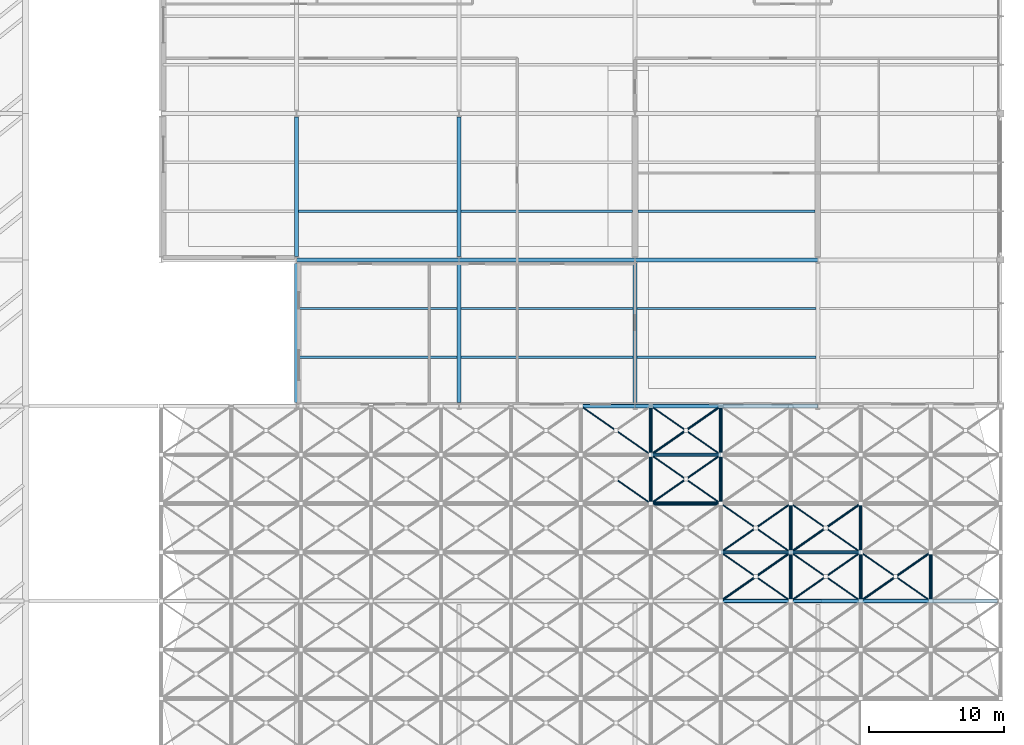
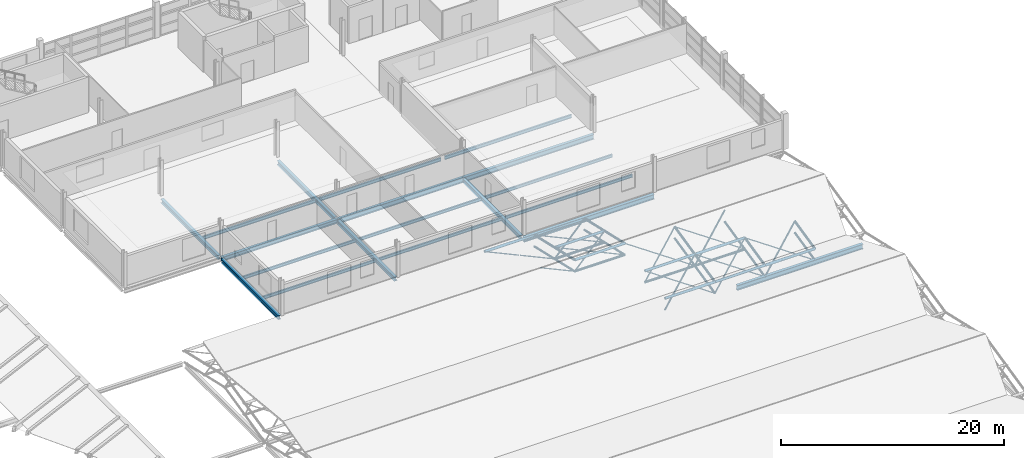
# One storey, part 48 of 110: 54 members, 19 beams.
"""IFC4 building model written with IfcOpenShell, lengths in metres."""

from ifc_helpers import new_model, si_unit, direction, frame, origin, origin_2d, place, context, subcontext, project, spatial, hollow_circle, i_section, extrude, material, material_profile, profile_set, type_object, element, save


model = new_model("IFC4")

# Units and contexts
model_context = context("Model", 3, precision=1e-05, world=origin(), true_north=direction((0.0, 1.0)))
body_context = subcontext(model_context, "Body", "Model", "MODEL_VIEW")
ifc_project = project(units=[si_unit("LENGTHUNIT", "METRE"), si_unit("AREAUNIT", "SQUARE_METRE"), si_unit("VOLUMEUNIT", "CUBIC_METRE"), si_unit("PLANEANGLEUNIT", "RADIAN"), si_unit("MASSUNIT", "GRAM", prefix="KILO")], contexts=[model_context])

# Site, building, storey
site_placement = place(None, origin())
site = spatial("IfcSite", under=ifc_project, at=site_placement, CompositionType="ELEMENT")
building_placement = place(site_placement, origin())
building = spatial("IfcBuilding", under=site, at=building_placement, Name="Tamarisk Ironworks Central Station", CompositionType="ELEMENT")
storey_placement = place(building_placement, frame((0.0, 0.0, 17.39990234375)))
storey = spatial("IfcBuildingStorey", under=building, at=storey_placement, Name="L03", CompositionType="ELEMENT", Elevation=17.39990234375)

# Beams
ifc_material_1 = material(Name="Structural steel S355J2", Category="steel")
ifc_material_profile_1 = material_profile(ifc_material_1, i_section(OverallWidth=0.169921875, OverallDepth=0.360107421875, WebThickness=0.008056640625, FlangeThickness=0.0126953125, at=origin_2d()), Name="IPE 360")
ifc_profile_set_1 = profile_set([ifc_material_profile_1], Name="Structural steel S355J2")
beam_type_1 = type_object("IfcBeamType", Name="BM-B05", PredefinedType="BEAM", material=ifc_profile_set_1)
beam_1_placement = place(storey_placement, frame((128.135009765625, 93.60009765625, -0.429931640625), z_axis=(1.0, 0.0, 0.0), x_axis=(0.0, 1.0, 0.0)))
element("IfcBeam", 1, at=beam_1_placement, inside=storey, type_object=beam_type_1, Name="L03 secondary composite beam 0201", PredefinedType="BEAM", context=body_context, shape_type="SweptSolid", body=[
    extrude(i_section(OverallWidth=0.169921875, OverallDepth=0.360107421875, WebThickness=0.008056640625, FlangeThickness=0.0126953125, at=origin_2d()), origin(), (0.0, 0.0, 1.0), 11.72998046875),
])
beam_2_placement = place(storey_placement, frame((140.135009765625, 93.60009765625, -0.429931640625), z_axis=(1.0, 0.0, 0.0), x_axis=(0.0, 1.0, 0.0)))
element("IfcBeam", 2, at=beam_2_placement, inside=storey, type_object=beam_type_1, Name="L03 secondary composite beam 0205", PredefinedType="BEAM", context=body_context, shape_type="SweptSolid", body=[
    extrude(i_section(OverallWidth=0.169921875, OverallDepth=0.360107421875, WebThickness=0.008056640625, FlangeThickness=0.0126953125, at=origin_2d()), origin(), (0.0, 0.0, 1.0), 12.6650390625),
])
beam_3_placement = place(storey_placement, frame((153.199951171875, 93.60009765625, -0.429931640625), z_axis=(1.0, 0.0, 0.0), x_axis=(0.0, 1.0, 0.0)))
element("IfcBeam", 3, at=beam_3_placement, inside=storey, type_object=beam_type_1, Name="L03 secondary composite beam 0209", PredefinedType="BEAM", context=body_context, shape_type="SweptSolid", body=[
    extrude(i_section(OverallWidth=0.169921875, OverallDepth=0.360107421875, WebThickness=0.008056640625, FlangeThickness=0.0126953125, at=origin_2d()), origin(), (0.0, 0.0, 1.0), 13.10009765625),
])
ifc_material_profile_2 = material_profile(ifc_material_1, i_section(OverallWidth=0.159912109375, OverallDepth=0.330078125, WebThickness=0.007568359375, FlangeThickness=0.011474609375, at=origin_2d()), Name="IPE 330")
ifc_profile_set_2 = profile_set([ifc_material_profile_2], Name="Structural steel S355J2")
beam_type_2 = type_object("IfcBeamType", Name="BM-B06", PredefinedType="BEAM", material=ifc_profile_set_2)
for number, where, z_axis, x_axis, name in (
    (4, (128.135009765625, 82.800048828125, -0.414794921875), (1.0, 0.0, 0.0), (0.0, 1.0, 0.0), "L03 secondary composite beam 0218"),
    (5, (128.135009765625, 86.39990234375, -0.414794921875), (1.0, 0.0, 0.0), (0.0, 1.0, 0.0), "L03 secondary composite beam 0219"),
):
    element("IfcBeam", number, at=place(storey_placement, frame(where, z_axis=z_axis, x_axis=x_axis)), inside=storey, type_object=beam_type_2, Name=name, PredefinedType="BEAM", context=body_context, shape_type="SweptSolid", body=[
        extrude(i_section(OverallWidth=0.159912109375, OverallDepth=0.330078125, WebThickness=0.007568359375, FlangeThickness=0.011474609375, at=origin_2d()), origin(), (0.0, 0.0, 1.0), 11.72998046875),
    ])
for number, where, z_axis, x_axis, name in (
    (6, (140.135009765625, 82.800048828125, -0.414794921875), (1.0, 0.0, 0.0), (0.0, 1.0, 0.0), "L03 secondary composite beam 0220"),
    (7, (140.135009765625, 86.39990234375, -0.414794921875), (1.0, 0.0, 0.0), (0.0, 1.0, 0.0), "L03 secondary composite beam 0221"),
):
    element("IfcBeam", number, at=place(storey_placement, frame(where, z_axis=z_axis, x_axis=x_axis)), inside=storey, type_object=beam_type_2, Name=name, PredefinedType="BEAM", context=body_context, shape_type="SweptSolid", body=[
        extrude(i_section(OverallWidth=0.159912109375, OverallDepth=0.330078125, WebThickness=0.007568359375, FlangeThickness=0.011474609375, at=origin_2d()), origin(), (0.0, 0.0, 1.0), 12.72998046875),
    ])
for number, where, z_axis, x_axis, name in (
    (8, (153.135009765625, 82.800048828125, -0.414794921875), (1.0, 0.0, 0.0), (0.0, 1.0, 0.0), "L03 secondary composite beam 0222"),
    (9, (153.135009765625, 86.39990234375, -0.414794921875), (1.0, 0.0, 0.0), (0.0, 1.0, 0.0), "L03 secondary composite beam 0223"),
):
    element("IfcBeam", number, at=place(storey_placement, frame(where, z_axis=z_axis, x_axis=x_axis)), inside=storey, type_object=beam_type_2, Name=name, PredefinedType="BEAM", context=body_context, shape_type="SweptSolid", body=[
        extrude(i_section(OverallWidth=0.159912109375, OverallDepth=0.330078125, WebThickness=0.007568359375, FlangeThickness=0.011474609375, at=origin_2d()), origin(), (0.0, 0.0, 1.0), 13.22998046875),
    ])
ifc_material_profile_3 = material_profile(ifc_material_1, i_section(OverallWidth=0.300048828125, OverallDepth=0.5400390625, WebThickness=0.012451171875, FlangeThickness=0.02392578125, at=origin_2d()), Name="HEA 550")
ifc_profile_set_3 = profile_set([ifc_material_profile_3], Name="Structural steel S355J2")
beam_type_3 = type_object("IfcBeamType", Name="BM-G04", PredefinedType="BEAM", material=ifc_profile_set_3)
beam_4_placement = place(storey_placement, frame((166.741943359375, 64.800048828125, -1.869873046875), z_axis=(1.0, 0.0, 0.0), x_axis=(0.0, 1.0, 0.0)))
element("IfcBeam", 10, at=beam_4_placement, inside=storey, type_object=beam_type_3, Name="L03 primary girder X-0576", PredefinedType="BEAM", context=body_context, shape_type="SweptSolid", body=[
    extrude(i_section(OverallWidth=0.300048828125, OverallDepth=0.5400390625, WebThickness=0.012451171875, FlangeThickness=0.02392578125, at=origin_2d()), origin(), (0.0, 0.0, 1.0), 13.02001953125),
])
beam_5_placement = place(storey_placement, frame((153.00390625, 79.199951171875, -0.52001953125), z_axis=(1.0, 0.0, 0.0), x_axis=(0.0, 1.0, 0.0)))
element("IfcBeam", 11, at=beam_5_placement, inside=storey, type_object=beam_type_3, Name="L03 primary girder X-0630", PredefinedType="BEAM", context=body_context, shape_type="SweptSolid", body=[
    extrude(i_section(OverallWidth=0.300048828125, OverallDepth=0.5400390625, WebThickness=0.012451171875, FlangeThickness=0.02392578125, at=origin_2d()), origin(), (0.0, 0.0, 1.0), 13.4921875),
])
beam_6_placement = place(storey_placement, frame((140.00390625, 90.0, -0.52001953125), z_axis=(1.0, 0.0, 0.0), x_axis=(0.0, 1.0, 0.0)))
element("IfcBeam", 12, at=beam_6_placement, inside=storey, type_object=beam_type_3, Name="L03 primary girder X-0638", PredefinedType="BEAM", context=body_context, shape_type="SweptSolid", body=[
    extrude(i_section(OverallWidth=0.300048828125, OverallDepth=0.5400390625, WebThickness=0.012451171875, FlangeThickness=0.02392578125, at=origin_2d()), origin(), (0.0, 0.0, 1.0), 12.9921875),
])
beam_7_placement = place(storey_placement, frame((153.00390625, 90.0, -0.52001953125), z_axis=(1.0, 0.0, 0.0), x_axis=(0.0, 1.0, 0.0)))
element("IfcBeam", 13, at=beam_7_placement, inside=storey, type_object=beam_type_3, Name="L03 primary girder X-0639", PredefinedType="BEAM", context=body_context, shape_type="SweptSolid", body=[
    extrude(i_section(OverallWidth=0.300048828125, OverallDepth=0.5400390625, WebThickness=0.012451171875, FlangeThickness=0.02392578125, at=origin_2d()), origin(), (0.0, 0.0, 1.0), 13.4921875),
])
ifc_material_profile_4 = material_profile(ifc_material_1, i_section(OverallWidth=0.300048828125, OverallDepth=0.43994140625, WebThickness=0.011474609375, FlangeThickness=0.02099609375, at=origin_2d()), Name="HEA 450")
ifc_profile_set_4 = profile_set([ifc_material_profile_4], Name="Structural steel S355J2")
beam_type_4 = type_object("IfcBeamType", Name="BM-G06", PredefinedType="BEAM", material=ifc_profile_set_4)
beam_8_placement = place(storey_placement, frame((128.00390625, 90.0, -0.469970703125), z_axis=(1.0, 0.0, 0.0), x_axis=(0.0, 1.0, 0.0)))
element("IfcBeam", 14, at=beam_8_placement, inside=storey, type_object=beam_type_4, Name="L03 primary girder X-0637", PredefinedType="BEAM", context=body_context, shape_type="SweptSolid", body=[
    extrude(i_section(OverallWidth=0.300048828125, OverallDepth=0.43994140625, WebThickness=0.011474609375, FlangeThickness=0.02099609375, at=origin_2d()), origin(), (0.0, 0.0, 1.0), 11.9921875),
])
for number, where, z_axis, x_axis, name in (
    (15, (128.0, 79.462890625, -0.469970703125), (0.0, 1.0, 0.0), (-1.0, 0.0, 0.0), "L03 primary girder Y-0683"),
    (16, (128.0, 90.262939453125, -0.469970703125), (0.0, 1.0, 0.0), (-1.0, 0.0, 0.0), "L03 primary girder Y-0684"),
    (17, (140.0, 79.462890625, -0.469970703125), (0.0, 1.0, 0.0), (-1.0, 0.0, 0.0), "L03 primary girder Y-0686"),
    (18, (140.0, 90.262939453125, -0.469970703125), (0.0, 1.0, 0.0), (-1.0, 0.0, 0.0), "L03 primary girder Y-0687"),
    (19, (153.0, 79.462890625, -0.469970703125), (0.0, 1.0, 0.0), (-1.0, 0.0, 0.0), "L03 primary girder Y-0692"),
):
    element("IfcBeam", number, at=place(storey_placement, frame(where, z_axis=z_axis, x_axis=x_axis)), inside=storey, type_object=beam_type_4, Name=name, PredefinedType="BEAM", context=body_context, shape_type="SweptSolid", body=[
        extrude(i_section(OverallWidth=0.300048828125, OverallDepth=0.43994140625, WebThickness=0.011474609375, FlangeThickness=0.02099609375, at=origin_2d()), origin(), (0.0, 0.0, 1.0), 10.274169921875),
    ])

# Members
ifc_material_2 = material(Name="Structural steel S355J2H", Category="steel")
ifc_material_profile_5 = material_profile(ifc_material_2, hollow_circle(Radius=0.136474609375, WallThickness=0.012451171875, at=origin_2d()), Name="CHS 273x12.5")
ifc_profile_set_5 = profile_set([ifc_material_profile_5], Name="Structural steel S355J2H")
member_type_1 = type_object("IfcMemberType", Name="MB-SFC01", PredefinedType="CHORD", material=ifc_profile_set_5)
for number, where, z_axis, x_axis, name in (
    (20, (159.333251953125, 64.800048828125, -0.469970703125), (1.0, 0.0, 0.0), (0.0, 1.0, 0.0), "Train shed space-frame top chord 1675"),
    (21, (164.5, 64.800048828125, -0.469970703125), (1.0, 0.0, 0.0), (0.0, 1.0, 0.0), "Train shed space-frame top chord 1676"),
):
    element("IfcMember", number, at=place(storey_placement, frame(where, z_axis=z_axis, x_axis=x_axis)), inside=storey, type_object=member_type_1, Name=name, PredefinedType="CHORD", context=body_context, shape_type="SweptSolid", body=[
        extrude(hollow_circle(Radius=0.136474609375, WallThickness=0.012451171875, at=origin_2d()), origin(), (0.0, 0.0, 1.0), 5.166748046875),
    ])
member_1_placement = place(storey_placement, frame((169.666748046875, 64.800048828125, -0.469970703125), z_axis=(1.0, 0.0, 0.0), x_axis=(0.0, 1.0, 0.0)))
element("IfcMember", 22, at=member_1_placement, inside=storey, type_object=member_type_1, Name="Train shed space-frame top chord 1677", PredefinedType="CHORD", context=body_context, shape_type="SweptSolid", body=[
    extrude(hollow_circle(Radius=0.136474609375, WallThickness=0.012451171875, at=origin_2d()), origin(), (0.0, 0.0, 1.0), 5.16650390625),
])
for number, where, z_axis, x_axis, name in (
    (23, (159.333251953125, 68.39990234375, 0.35498046875), (1.0, 0.0, 0.0), (0.0, 1.0, 0.0), "Train shed space-frame top chord 1923"),
    (24, (164.5, 68.39990234375, 0.35498046875), (1.0, 0.0, 0.0), (0.0, 1.0, 0.0), "Train shed space-frame top chord 1924"),
):
    element("IfcMember", number, at=place(storey_placement, frame(where, z_axis=z_axis, x_axis=x_axis)), inside=storey, type_object=member_type_1, Name=name, PredefinedType="CHORD", context=body_context, shape_type="SweptSolid", body=[
        extrude(hollow_circle(Radius=0.136474609375, WallThickness=0.012451171875, at=origin_2d()), origin(), (0.0, 0.0, 1.0), 5.166748046875),
    ])
for number, where, z_axis, x_axis, name in (
    (25, (154.166748046875, 72.0, 1.18017578125), (1.0, 0.0, 0.0), (0.0, 1.0, 0.0), "Train shed space-frame top chord 1934"),
    (26, (154.166748046875, 75.60009765625, 0.35498046875), (1.0, 0.0, 0.0), (0.0, 1.0, 0.0), "Train shed space-frame top chord 1946"),
):
    element("IfcMember", number, at=place(storey_placement, frame(where, z_axis=z_axis, x_axis=x_axis)), inside=storey, type_object=member_type_1, Name=name, PredefinedType="CHORD", context=body_context, shape_type="SweptSolid", body=[
        extrude(hollow_circle(Radius=0.136474609375, WallThickness=0.012451171875, at=origin_2d()), origin(), (0.0, 0.0, 1.0), 5.16650390625),
    ])
member_2_placement = place(storey_placement, frame((149.0, 79.199951171875, -0.469970703125), z_axis=(1.0, 0.0, 0.0), x_axis=(0.0, 1.0, 0.0)))
element("IfcMember", 27, at=member_2_placement, inside=storey, type_object=member_type_1, Name="Train shed space-frame top chord 1957", PredefinedType="CHORD", context=body_context, shape_type="SweptSolid", body=[
    extrude(hollow_circle(Radius=0.136474609375, WallThickness=0.012451171875, at=origin_2d()), origin(), (0.0, 0.0, 1.0), 5.166748046875),
])
member_3_placement = place(storey_placement, frame((154.166748046875, 79.199951171875, -0.469970703125), z_axis=(1.0, 0.0, 0.0), x_axis=(0.0, 1.0, 0.0)))
element("IfcMember", 28, at=member_3_placement, inside=storey, type_object=member_type_1, Name="Train shed space-frame top chord 1958", PredefinedType="CHORD", context=body_context, shape_type="SweptSolid", body=[
    extrude(hollow_circle(Radius=0.136474609375, WallThickness=0.012451171875, at=origin_2d()), origin(), (0.0, 0.0, 1.0), 5.16650390625),
])
ifc_material_profile_6 = material_profile(ifc_material_2, hollow_circle(Radius=0.122314453125, WallThickness=0.012451171875, at=origin_2d()), Name="CHS 244.5x12.5")
ifc_profile_set_6 = profile_set([ifc_material_profile_6], Name="Structural steel S355J2H")
member_type_2 = type_object("IfcMemberType", Name="MB-SFC02", PredefinedType="CHORD", material=ifc_profile_set_6)
for number, where, z_axis, x_axis, name in (
    (29, (159.333251953125, 68.39990234375, -0.89501953125), (1.0, 0.0, 0.0), (0.0, 1.0, 0.0), "Train shed space-frame bottom chord 1835"),
    (30, (164.5, 68.39990234375, -0.89501953125), (1.0, 0.0, 0.0), (0.0, 1.0, 0.0), "Train shed space-frame bottom chord 1836"),
):
    element("IfcMember", number, at=place(storey_placement, frame(where, z_axis=z_axis, x_axis=x_axis)), inside=storey, type_object=member_type_2, Name=name, PredefinedType="CHORD", context=body_context, shape_type="SweptSolid", body=[
        extrude(hollow_circle(Radius=0.122314453125, WallThickness=0.012451171875, at=origin_2d()), origin(), (0.0, 0.0, 1.0), 5.166748046875),
    ])
for number, where, z_axis, x_axis, name in (
    (31, (154.166748046875, 72.0, -0.06982421875), (1.0, 0.0, 0.0), (0.0, 1.0, 0.0), "Train shed space-frame bottom chord 1846"),
    (32, (154.166748046875, 75.60009765625, -0.89501953125), (1.0, 0.0, 0.0), (0.0, 1.0, 0.0), "Train shed space-frame bottom chord 1858"),
):
    element("IfcMember", number, at=place(storey_placement, frame(where, z_axis=z_axis, x_axis=x_axis)), inside=storey, type_object=member_type_2, Name=name, PredefinedType="CHORD", context=body_context, shape_type="SweptSolid", body=[
        extrude(hollow_circle(Radius=0.122314453125, WallThickness=0.012451171875, at=origin_2d()), origin(), (0.0, 0.0, 1.0), 5.16650390625),
    ])
member_4_placement = place(storey_placement, frame((154.166748046875, 72.0, 1.18017578125), z_axis=(0.0, 0.974722123001, -0.223420641241), x_axis=(-1.0, 0.0, 0.0)))
element("IfcMember", 33, at=member_4_placement, inside=storey, type_object=member_type_2, Name="Train shed space-frame top transverse chord 1993", PredefinedType="CHORD", context=body_context, shape_type="SweptSolid", body=[
    extrude(hollow_circle(Radius=0.122314453125, WallThickness=0.012451171875, at=origin_2d()), origin(), (0.0, 0.0, 1.0), 3.693359375),
])
member_5_placement = place(storey_placement, frame((154.166748046875, 75.60009765625, 0.35498046875), z_axis=(0.0, 0.974733218107, -0.223372230857), x_axis=(-1.0, 0.0, 0.0)))
element("IfcMember", 34, at=member_5_placement, inside=storey, type_object=member_type_2, Name="Train shed space-frame top transverse chord 1994", PredefinedType="CHORD", context=body_context, shape_type="SweptSolid", body=[
    extrude(hollow_circle(Radius=0.122314453125, WallThickness=0.012451171875, at=origin_2d()), origin(), (0.0, 0.0, 1.0), 3.693115234375),
])
member_6_placement = place(storey_placement, frame((159.333251953125, 72.0, 1.18017578125), z_axis=(0.0, 0.974722123001, -0.223420641241), x_axis=(-1.0, 0.0, 0.0)))
element("IfcMember", 35, at=member_6_placement, inside=storey, type_object=member_type_2, Name="Train shed space-frame top transverse chord 1997", PredefinedType="CHORD", context=body_context, shape_type="SweptSolid", body=[
    extrude(hollow_circle(Radius=0.122314453125, WallThickness=0.012451171875, at=origin_2d()), origin(), (0.0, 0.0, 1.0), 3.693359375),
])
for number, where, z_axis, x_axis, name in (
    (36, (159.333251953125, 75.60009765625, 0.35498046875), (0.0, 0.974733218107, -0.223372230857), (-1.0, 0.0, 0.0), "Train shed space-frame top transverse chord 1998"),
    (37, (164.5, 64.800048828125, -0.469970703125), (0.0, 0.974733218107, 0.223372230857), (-1.0, 0.0, 0.0), "Train shed space-frame top transverse chord 1999"),
):
    element("IfcMember", number, at=place(storey_placement, frame(where, z_axis=z_axis, x_axis=x_axis)), inside=storey, type_object=member_type_2, Name=name, PredefinedType="CHORD", context=body_context, shape_type="SweptSolid", body=[
        extrude(hollow_circle(Radius=0.122314453125, WallThickness=0.012451171875, at=origin_2d()), origin(), (0.0, 0.0, 1.0), 3.693115234375),
    ])
member_7_placement = place(storey_placement, frame((164.5, 68.39990234375, 0.35498046875), z_axis=(0.0, 0.974722123001, 0.223420641241), x_axis=(-1.0, 0.0, 0.0)))
element("IfcMember", 38, at=member_7_placement, inside=storey, type_object=member_type_2, Name="Train shed space-frame top transverse chord 2000", PredefinedType="CHORD", context=body_context, shape_type="SweptSolid", body=[
    extrude(hollow_circle(Radius=0.122314453125, WallThickness=0.012451171875, at=origin_2d()), origin(), (0.0, 0.0, 1.0), 3.693359375),
])
for number, where, z_axis, x_axis, name in (
    (39, (169.666748046875, 64.800048828125, -0.469970703125), (0.0, 0.974733218107, 0.223372230857), (-1.0, 0.0, 0.0), "Train shed space-frame top transverse chord 2003"),
    (40, (174.833251953125, 64.800048828125, -0.469970703125), (0.0, 0.974733218107, 0.223372230857), (-1.0, 0.0, 0.0), "Train shed space-frame top transverse chord 2007"),
):
    element("IfcMember", number, at=place(storey_placement, frame(where, z_axis=z_axis, x_axis=x_axis)), inside=storey, type_object=member_type_2, Name=name, PredefinedType="CHORD", context=body_context, shape_type="SweptSolid", body=[
        extrude(hollow_circle(Radius=0.122314453125, WallThickness=0.012451171875, at=origin_2d()), origin(), (0.0, 0.0, 1.0), 3.693115234375),
    ])
ifc_material_profile_7 = material_profile(ifc_material_2, hollow_circle(Radius=0.109619140625, WallThickness=0.010009765625, at=origin_2d()), Name="CHS 219.1x10")
ifc_profile_set_7 = profile_set([ifc_material_profile_7], Name="Structural steel S355J2H")
member_type_3 = type_object("IfcMemberType", Name="MB-SFC03", PredefinedType="CHORD", material=ifc_profile_set_7)
member_8_placement = place(storey_placement, frame((154.166748046875, 72.0, -0.06982421875), z_axis=(0.0, 0.974722123001, -0.223420641241), x_axis=(-1.0, 0.0, 0.0)))
element("IfcMember", 41, at=member_8_placement, inside=storey, type_object=member_type_3, Name="Train shed space-frame transverse chord 1893", PredefinedType="CHORD", context=body_context, shape_type="SweptSolid", body=[
    extrude(hollow_circle(Radius=0.109619140625, WallThickness=0.010009765625, at=origin_2d()), origin(), (0.0, 0.0, 1.0), 3.693359375),
])
member_9_placement = place(storey_placement, frame((154.166748046875, 75.60009765625, -0.89501953125), z_axis=(0.0, 0.974733218107, -0.223372230857), x_axis=(-1.0, 0.0, 0.0)))
element("IfcMember", 42, at=member_9_placement, inside=storey, type_object=member_type_3, Name="Train shed space-frame transverse chord 1894", PredefinedType="CHORD", context=body_context, shape_type="SweptSolid", body=[
    extrude(hollow_circle(Radius=0.109619140625, WallThickness=0.010009765625, at=origin_2d()), origin(), (0.0, 0.0, 1.0), 3.693115234375),
])
member_10_placement = place(storey_placement, frame((159.333251953125, 72.0, -0.06982421875), z_axis=(0.0, 0.974722123001, -0.223420641241), x_axis=(-1.0, 0.0, 0.0)))
element("IfcMember", 43, at=member_10_placement, inside=storey, type_object=member_type_3, Name="Train shed space-frame transverse chord 1897", PredefinedType="CHORD", context=body_context, shape_type="SweptSolid", body=[
    extrude(hollow_circle(Radius=0.109619140625, WallThickness=0.010009765625, at=origin_2d()), origin(), (0.0, 0.0, 1.0), 3.693359375),
])
for number, where, z_axis, x_axis, name in (
    (44, (159.333251953125, 75.60009765625, -0.89501953125), (0.0, 0.974733218107, -0.223372230857), (-1.0, 0.0, 0.0), "Train shed space-frame transverse chord 1898"),
    (45, (164.5, 64.800048828125, -1.719970703125), (0.0, 0.974733218107, 0.223372230857), (-1.0, 0.0, 0.0), "Train shed space-frame transverse chord 1899"),
):
    element("IfcMember", number, at=place(storey_placement, frame(where, z_axis=z_axis, x_axis=x_axis)), inside=storey, type_object=member_type_3, Name=name, PredefinedType="CHORD", context=body_context, shape_type="SweptSolid", body=[
        extrude(hollow_circle(Radius=0.109619140625, WallThickness=0.010009765625, at=origin_2d()), origin(), (0.0, 0.0, 1.0), 3.693115234375),
    ])
member_11_placement = place(storey_placement, frame((164.5, 68.39990234375, -0.89501953125), z_axis=(0.0, 0.974722123001, 0.223420641241), x_axis=(-1.0, 0.0, 0.0)))
element("IfcMember", 46, at=member_11_placement, inside=storey, type_object=member_type_3, Name="Train shed space-frame transverse chord 1900", PredefinedType="CHORD", context=body_context, shape_type="SweptSolid", body=[
    extrude(hollow_circle(Radius=0.109619140625, WallThickness=0.010009765625, at=origin_2d()), origin(), (0.0, 0.0, 1.0), 3.693359375),
])
member_12_placement = place(storey_placement, frame((169.666748046875, 64.800048828125, -1.719970703125), z_axis=(0.0, 0.974733218107, 0.223372230857), x_axis=(-1.0, 0.0, 0.0)))
element("IfcMember", 47, at=member_12_placement, inside=storey, type_object=member_type_3, Name="Train shed space-frame transverse chord 1903", PredefinedType="CHORD", context=body_context, shape_type="SweptSolid", body=[
    extrude(hollow_circle(Radius=0.109619140625, WallThickness=0.010009765625, at=origin_2d()), origin(), (0.0, 0.0, 1.0), 3.693115234375),
])
member_13_placement = place(storey_placement, frame((169.666748046875, 68.39990234375, -0.89501953125), z_axis=(0.0, 0.974722123001, 0.223420641241), x_axis=(-1.0, 0.0, 0.0)))
element("IfcMember", 48, at=member_13_placement, inside=storey, type_object=member_type_3, Name="Train shed space-frame transverse chord 1904", PredefinedType="CHORD", context=body_context, shape_type="SweptSolid", body=[
    extrude(hollow_circle(Radius=0.109619140625, WallThickness=0.010009765625, at=origin_2d()), origin(), (0.0, 0.0, 1.0), 3.693359375),
])
member_14_placement = place(storey_placement, frame((174.833251953125, 64.800048828125, -1.719970703125), z_axis=(0.0, 0.974733218107, 0.223372230857), x_axis=(-1.0, 0.0, 0.0)))
element("IfcMember", 49, at=member_14_placement, inside=storey, type_object=member_type_3, Name="Train shed space-frame transverse chord 1907", PredefinedType="CHORD", context=body_context, shape_type="SweptSolid", body=[
    extrude(hollow_circle(Radius=0.109619140625, WallThickness=0.010009765625, at=origin_2d()), origin(), (0.0, 0.0, 1.0), 3.693115234375),
])
ifc_material_profile_8 = material_profile(ifc_material_2, hollow_circle(Radius=0.084228515625, WallThickness=0.010009765625, at=origin_2d()), Name="CHS 168.3x10")
ifc_profile_set_8 = profile_set([ifc_material_profile_8], Name="Structural steel S355J2H")
member_type_4 = type_object("IfcMemberType", Name="MB-SFD01", PredefinedType="BRACE", material=ifc_profile_set_8)
member_15_placement = place(storey_placement, frame((154.166748046875, 75.60009765625, -0.89501953125), z_axis=(0.818613050724, 0.570383207302, 0.067347383107), x_axis=(-0.571681159291, 0.820475869305, 0.0)))
element("IfcMember", 50, at=member_15_placement, inside=storey, type_object=member_type_4, Name="Train shed space-frame diagonal 2077", PredefinedType="BRACE", context=body_context, shape_type="SweptSolid", body=[
    extrude(hollow_circle(Radius=0.084228515625, WallThickness=0.010009765625, at=origin_2d()), origin(), (0.0, 0.0, 1.0), 6.311279296875),
])
member_16_placement = place(storey_placement, frame((159.333251953125, 64.800048828125, -1.719970703125), z_axis=(0.779273944842, 0.542947328672, 0.312954177442), x_axis=(-0.57166297408, 0.820488539875, 0.0)))
element("IfcMember", 51, at=member_16_placement, inside=storey, type_object=member_type_4, Name="Train shed space-frame diagonal 2079", PredefinedType="BRACE", context=body_context, shape_type="SweptSolid", body=[
    extrude(hollow_circle(Radius=0.084228515625, WallThickness=0.010009765625, at=origin_2d()), origin(), (0.0, 0.0, 1.0), 6.630126953125),
])
member_17_placement = place(storey_placement, frame((164.5, 68.39990234375, -0.89501953125), z_axis=(0.779249385031, 0.542967038306, 0.312981135603), x_axis=(-0.571689073201, 0.82047035509, 0.0)))
element("IfcMember", 52, at=member_17_placement, inside=storey, type_object=member_type_4, Name="Train shed space-frame diagonal 2089", PredefinedType="BRACE", context=body_context, shape_type="SweptSolid", body=[
    extrude(hollow_circle(Radius=0.084228515625, WallThickness=0.010009765625, at=origin_2d()), origin(), (0.0, 0.0, 1.0), 6.63037109375),
])
member_18_placement = place(storey_placement, frame((169.666748046875, 64.800048828125, -1.719970703125), z_axis=(0.779259482852, 0.542962908735, 0.312963157772), x_axis=(-0.571681159291, 0.820475869305, 0.0)))
element("IfcMember", 53, at=member_18_placement, inside=storey, type_object=member_type_4, Name="Train shed space-frame diagonal 2095", PredefinedType="BRACE", context=body_context, shape_type="SweptSolid", body=[
    extrude(hollow_circle(Radius=0.084228515625, WallThickness=0.010009765625, at=origin_2d()), origin(), (0.0, 0.0, 1.0), 6.630126953125),
])
ifc_material_profile_9 = material_profile(ifc_material_2, hollow_circle(Radius=0.06982421875, WallThickness=0.008056640625, at=origin_2d()), Name="CHS 139.7x8")
ifc_profile_set_9 = profile_set([ifc_material_profile_9], Name="Structural steel S355J2H")
member_type_5 = type_object("IfcMemberType", Name="MB-SFD02", PredefinedType="BRACE", material=ifc_profile_set_9)
member_19_placement = place(storey_placement, frame((154.166748046875, 72.0, -0.06982421875), z_axis=(0.81859712056, 0.570410790085, 0.067307390123), x_axis=(-0.571707258436, 0.820457683645, 0.0)))
element("IfcMember", 54, at=member_19_placement, inside=storey, type_object=member_type_5, Name="Train shed space-frame diagonal 2075", PredefinedType="BRACE", context=body_context, shape_type="SweptSolid", body=[
    extrude(hollow_circle(Radius=0.06982421875, WallThickness=0.008056640625, at=origin_2d()), origin(), (0.0, 0.0, 1.0), 6.3115234375),
])
member_20_placement = place(storey_placement, frame((159.333251953125, 68.39990234375, -0.89501953125), z_axis=(0.779249385031, 0.542967038306, 0.312981135603), x_axis=(-0.571689073201, 0.82047035509, 0.0)))
element("IfcMember", 55, at=member_20_placement, inside=storey, type_object=member_type_5, Name="Train shed space-frame diagonal 2081", PredefinedType="BRACE", context=body_context, shape_type="SweptSolid", body=[
    extrude(hollow_circle(Radius=0.06982421875, WallThickness=0.008056640625, at=origin_2d()), origin(), (0.0, 0.0, 1.0), 6.63037109375),
])
member_21_placement = place(storey_placement, frame((164.5, 64.800048828125, -1.719970703125), z_axis=(0.779273944842, 0.542947328672, 0.312954177442), x_axis=(-0.57166297408, 0.820488539875, 0.0)))
element("IfcMember", 56, at=member_21_placement, inside=storey, type_object=member_type_5, Name="Train shed space-frame diagonal 2087", PredefinedType="BRACE", context=body_context, shape_type="SweptSolid", body=[
    extrude(hollow_circle(Radius=0.06982421875, WallThickness=0.008056640625, at=origin_2d()), origin(), (0.0, 0.0, 1.0), 6.630126953125),
])
ifc_material_profile_10 = material_profile(ifc_material_2, hollow_circle(Radius=0.05712890625, WallThickness=0.00634765625, at=origin_2d()), Name="CHS 114.3x6.3")
ifc_profile_set_10 = profile_set([ifc_material_profile_10], Name="Structural steel S355J2H")
member_type_6 = type_object("IfcMemberType", Name="MB-SFD03", PredefinedType="BRACE", material=ifc_profile_set_10)
for number, where, z_axis, x_axis, name in (
    (57, (154.166748046875, 72.0, -0.06982421875), (-0.81862545828, 0.570368646704, 0.067319877544), (-0.571665501983, -0.820486778591, 0.0), "Train shed space-frame split counter-diagonal lower 2068"),
    (58, (154.166748046875, 75.60009765625, -0.89501953125), (-0.818621116616, 0.570365621695, 0.067398256788), (-0.571665501983, -0.820486778591, 0.0), "Train shed space-frame split counter-diagonal lower 2070"),
    (59, (151.538330078125, 77.431396484375, -0.6787109375), (-0.81862545828, 0.570368646704, 0.067319877544), (-0.571665501983, -0.820486778591, 0.0), "Train shed space-frame split counter-diagonal upper 2070"),
    (60, (159.333251953125, 72.0, -0.06982421875), (-0.81862545828, 0.570368646704, 0.067319877544), (-0.571665501983, -0.820486778591, 0.0), "Train shed space-frame split counter-diagonal lower 2076"),
    (61, (156.705078125, 73.831298828125, 0.146240234375), (-0.818588694614, 0.570421765171, 0.067316854275), (-0.571718624339, -0.820449763596, 0.0), "Train shed space-frame split counter-diagonal upper 2076"),
    (62, (159.333251953125, 75.60009765625, -0.89501953125), (-0.818621116616, 0.570365621695, 0.067398256788), (-0.571665501983, -0.820486778591, 0.0), "Train shed space-frame split counter-diagonal lower 2078"),
    (63, (156.705078125, 77.431396484375, -0.6787109375), (-0.81862545828, 0.570368646704, 0.067319877544), (-0.571665501983, -0.820486778591, 0.0), "Train shed space-frame split counter-diagonal upper 2078"),
):
    element("IfcMember", number, at=place(storey_placement, frame(where, z_axis=z_axis, x_axis=x_axis)), inside=storey, type_object=member_type_6, Name=name, PredefinedType="BRACE", context=body_context, shape_type="SweptSolid", body=[
        extrude(hollow_circle(Radius=0.05712890625, WallThickness=0.00634765625, at=origin_2d()), origin(), (0.0, 0.0, 1.0), 3.100830078125),
    ])
for number, where, z_axis, x_axis, name in (
    (64, (164.5, 64.800048828125, -1.719970703125), (-0.779251958926, 0.542967486998, 0.312973948712), (-0.571688120068, -0.820471019216, 0.0), "Train shed space-frame split counter-diagonal lower 2080"),
    (65, (161.873779296875, 66.6298828125, -0.665283203125), (-0.779281371438, 0.542935800781, 0.31295568434), (-0.571651135352, -0.820496788203, 0.0), "Train shed space-frame split counter-diagonal upper 2080"),
    (66, (164.5, 68.39990234375, -0.89501953125), (-0.779202006797, 0.5430075686, 0.313028773514), (-0.571741198525, -0.820434032637, 0.0), "Train shed space-frame split counter-diagonal lower 2082"),
    (67, (161.873779296875, 70.22998046875, 0.159912109375), (-0.779281371438, 0.542935800781, 0.31295568434), (-0.571651135352, -0.820496788203, 0.0), "Train shed space-frame split counter-diagonal upper 2082"),
    (68, (169.666748046875, 64.800048828125, -1.719970703125), (-0.779281371438, 0.542935800781, 0.31295568434), (-0.571651135352, -0.820496788203, 0.0), "Train shed space-frame split counter-diagonal lower 2088"),
    (69, (167.040283203125, 66.6298828125, -0.665283203125), (-0.779251958926, 0.542967486998, 0.312973948712), (-0.571688120068, -0.820471019216, 0.0), "Train shed space-frame split counter-diagonal upper 2088"),
):
    element("IfcMember", number, at=place(storey_placement, frame(where, z_axis=z_axis, x_axis=x_axis)), inside=storey, type_object=member_type_6, Name=name, PredefinedType="BRACE", context=body_context, shape_type="SweptSolid", body=[
        extrude(hollow_circle(Radius=0.05712890625, WallThickness=0.00634765625, at=origin_2d()), origin(), (0.0, 0.0, 1.0), 3.260009765625),
    ])
member_22_placement = place(storey_placement, frame((169.666748046875, 68.39990234375, -0.89501953125), z_axis=(-0.779231423252, 0.542975884106, 0.313010508283), x_axis=(-0.571704213709, -0.820459805248, 0.0)))
element("IfcMember", 70, at=member_22_placement, inside=storey, type_object=member_type_6, Name="Train shed space-frame split counter-diagonal lower 2090", PredefinedType="BRACE", context=body_context, shape_type="SweptSolid", body=[
    extrude(hollow_circle(Radius=0.05712890625, WallThickness=0.00634765625, at=origin_2d()), origin(), (0.0, 0.0, 1.0), 3.26025390625),
])
for number, where, z_axis, x_axis, name in (
    (71, (167.040283203125, 70.22998046875, 0.159912109375), (-0.779251958926, 0.542967486998, 0.312973948712), (-0.571688120068, -0.820471019216, 0.0), "Train shed space-frame split counter-diagonal upper 2090"),
    (72, (174.833251953125, 64.800048828125, -1.719970703125), (-0.779251958926, 0.542967486998, 0.312973948712), (-0.571688120068, -0.820471019216, 0.0), "Train shed space-frame split counter-diagonal lower 2096"),
    (73, (172.20703125, 66.6298828125, -0.665283203125), (-0.779251958926, 0.542967486998, 0.312973948712), (-0.571688120068, -0.820471019216, 0.0), "Train shed space-frame split counter-diagonal upper 2096"),
):
    element("IfcMember", number, at=place(storey_placement, frame(where, z_axis=z_axis, x_axis=x_axis)), inside=storey, type_object=member_type_6, Name=name, PredefinedType="BRACE", context=body_context, shape_type="SweptSolid", body=[
        extrude(hollow_circle(Radius=0.05712890625, WallThickness=0.00634765625, at=origin_2d()), origin(), (0.0, 0.0, 1.0), 3.260009765625),
    ])

save(model, "model.ifc")
